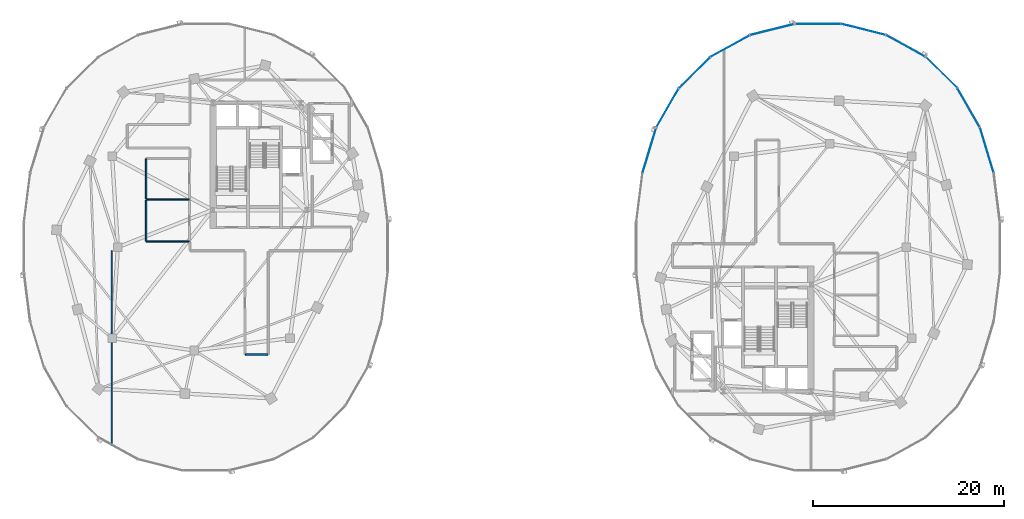
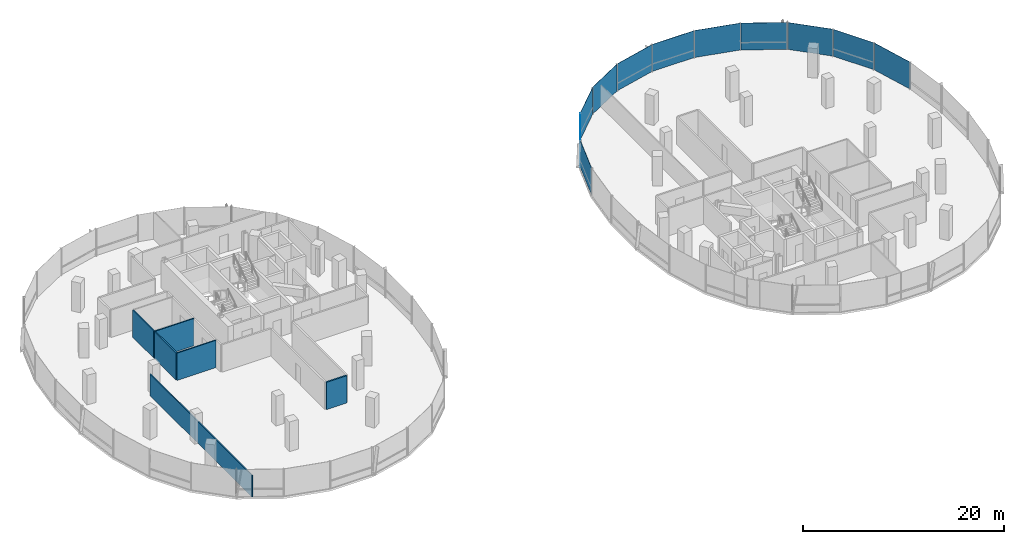
# One storey, part 11 of 21: 11 plates, 6 walls, 2 elements without a shape of their own.
"""IFC4 building model written with IfcOpenShell, lengths in metres."""

import ifcopenshell
import ifcopenshell.guid

model = None  # the IFC model being written
_history = None  # IfcOwnerHistory: only IFC2X3 demands one
_inside = {}  # id of a spatial element -> (the spatial element, [elements in it])
_under = {}  # id of a project, library or spatial element -> (it, [spatial elements below it])
_declared = {}  # id of a project -> (the project, [libraries it declares])
_typed = {}  # id of a type object -> (the type object, [elements of that type])
_made_of = {}  # id of a material, layer set ... -> (it, [elements and type objects made of it])


def new_model(schema):
    """Start an empty IFC model of exactly this schema.

    Asked for "IFC4X3", IfcOpenShell would pick the latest addendum, in which some entities
    have other attributes; the version numbers below select the first issue.
    IFC2X3 requires an IfcOwnerHistory on every rooted entity: one is made here for all.
    """
    global model, _history
    if schema == "IFC4X3":
        model = ifcopenshell.file(schema_version=(4, 3, 0, 0))
    else:
        model = ifcopenshell.file(schema=schema)
    _inside.clear()
    _under.clear()
    _declared.clear()
    _typed.clear()
    _made_of.clear()
    _history = None
    if model.schema == "IFC2X3":
        org = make("IfcOrganization", Name="unknown")
        user = make(
            "IfcPersonAndOrganization",
            ThePerson=make("IfcPerson", FamilyName="unknown"),
            TheOrganization=org,
        )
        app = make(
            "IfcApplication",
            ApplicationDeveloper=org,
            Version="unknown",
            ApplicationFullName="unknown",
            ApplicationIdentifier="unknown",
        )
        _history = make(
            "IfcOwnerHistory",
            OwningUser=user,
            OwningApplication=app,
            ChangeAction="ADDED",
            CreationDate=0,
        )
    return model


def make(cls, **values):
    """One entity of the class cls with the attributes given. An attribute that is None is left unset."""
    return model.create_entity(
        cls, **{name: value for name, value in values.items() if value is not None}
    )


def rooted(cls, **values):
    """An entity with a GlobalId (a new one), such as an element, a storey or a relation."""
    return make(cls, GlobalId=ifcopenshell.guid.new(), OwnerHistory=_history, **values)


def si_unit(unit_type, name, prefix=None):
    """IfcSIUnit, for example si_unit("LENGTHUNIT", "METRE", prefix="MILLI")."""
    return make("IfcSIUnit", UnitType=unit_type, Prefix=prefix, Name=name)


def assignment(units):
    """IfcUnitAssignment: the units of a project."""
    return None if units is None else make("IfcUnitAssignment", Units=units)


def point(xyz):
    """IfcCartesianPoint."""
    return None if xyz is None else make("IfcCartesianPoint", Coordinates=xyz)


def direction(xyz):
    """IfcDirection."""
    return None if xyz is None else make("IfcDirection", DirectionRatios=xyz)


def frame(location, z_axis=None, x_axis=None):
    """IfcAxis2Placement3D, a coordinate frame: its origin and axes. An axis left out is left unset."""
    return make(
        "IfcAxis2Placement3D",
        Location=point(location),
        Axis=direction(z_axis),
        RefDirection=direction(x_axis),
    )


def frame_2d(location, x_axis=None):
    """IfcAxis2Placement2D, a coordinate frame in the plane: its origin and x axis."""
    return make(
        "IfcAxis2Placement2D", Location=point(location), RefDirection=direction(x_axis)
    )


def origin():
    """The frame at (0, 0, 0) with its axes left unset."""
    return frame((0.0, 0.0, 0.0))


def origin_2d():
    """The frame at (0, 0) in the plane with its x axis left unset."""
    return frame_2d((0.0, 0.0))


def place(relative_to, where):
    """IfcLocalPlacement: puts the frame where relative to a parent placement (None: the world)."""
    return make(
        "IfcLocalPlacement", PlacementRelTo=relative_to, RelativePlacement=where
    )


def context(
    kind, dimensions, precision=None, world=None, true_north=None, identifier=None
):
    """IfcGeometricRepresentationContext, for example the 3D "Model" context."""
    return make(
        "IfcGeometricRepresentationContext",
        ContextIdentifier=identifier,
        ContextType=kind,
        CoordinateSpaceDimension=dimensions,
        Precision=precision,
        WorldCoordinateSystem=world,
        TrueNorth=true_north,
    )


def subcontext(parent, identifier, kind, view, scale=None):
    """IfcGeometricRepresentationSubContext, for example "Body" below "Model"."""
    return make(
        "IfcGeometricRepresentationSubContext",
        ContextIdentifier=identifier,
        ContextType=kind,
        ParentContext=parent,
        TargetScale=scale,
        TargetView=view,
    )


def project(units=None, contexts=None):
    """IfcProject with its units and contexts."""
    return rooted(
        "IfcProject",
        Name="project",
        RepresentationContexts=contexts,
        UnitsInContext=assignment(units),
    )


def spatial(cls, under=None, at=None, **own):
    """A site, building, storey or space (cls), placed at a placement, below another one or the project."""
    s = rooted(cls, ObjectPlacement=at, **own)
    if under is not None:
        _under.setdefault(under.id(), (under, []))[1].append(s)
    return s


def profile(cls, at=None, kind="AREA", **sizes):
    """A parametric profile (cls). Its sizes go by their IFC names, for example OverallWidth=200.0."""
    return make(cls, ProfileType=kind, Position=at, **sizes)


def rectangle(**sizes):
    """IfcRectangleProfileDef."""
    return profile("IfcRectangleProfileDef", **sizes)


def extrude(swept, where, along, depth):
    """IfcExtrudedAreaSolid: the profile swept, set in the frame where, extruded along a direction by depth."""
    return make(
        "IfcExtrudedAreaSolid",
        SweptArea=swept,
        Position=where,
        ExtrudedDirection=direction(along),
        Depth=depth,
    )


def shape(context_of_items, identifier, shape_type, items):
    """IfcShapeRepresentation: the items that make up one representation, for example the "Body"."""
    return make(
        "IfcShapeRepresentation",
        ContextOfItems=context_of_items,
        RepresentationIdentifier=identifier,
        RepresentationType=shape_type,
        Items=items,
    )


def material(Name=None, Category=None):
    """IfcMaterial."""
    return make("IfcMaterial", Name=Name, Category=Category)


def layer(
    of_material, thickness, ventilated=None, Name=None, Category=None, Priority=None
):
    """IfcMaterialLayer: one layer of a wall or slab, of a material (None: an air gap)."""
    return make(
        "IfcMaterialLayer",
        Material=of_material,
        LayerThickness=thickness,
        IsVentilated=ventilated,
        Name=Name,
        Category=Category,
        Priority=Priority,
    )


def layer_set(layers, Name=None):
    """IfcMaterialLayerSet."""
    return make("IfcMaterialLayerSet", MaterialLayers=layers, LayerSetName=Name)


def made_of(thing, what):
    """Note that an element or type object is made of a material, layer set ...; save() writes the relation."""
    if what is not None:
        _made_of.setdefault(what.id(), (what, []))[1].append(thing)
    return thing


def type_object(cls, material=None, **own):
    """A type object (cls), such as IfcWallType, which elements share."""
    return made_of(rooted(cls, **own), material)


def element(
    cls,
    number,
    at=None,
    inside=None,
    cuts=None,
    type_object=None,
    material=None,
    context=None,
    identifier="Body",
    shape_type=None,
    held_by="IfcProductDefinitionShape",
    body=None,
    shapes=None,
    **own,
):
    """One element of the class cls, such as IfcWall. Its Tag is "e" and its number.

    at: its placement. inside: the storey or other place that contains it. cuts: it is an
    opening in that element (IfcRelVoidsElement). A single representation is given by context,
    identifier, shape_type and body (its items); several are given by shapes. held_by: the class
    of the entity that holds the representations. save() writes the other relations.
    """
    e = rooted(cls, Tag="e%d" % number, ObjectPlacement=at, **own)
    if body is not None:
        shapes = [shape(context, identifier, shape_type, body)]
    if shapes is not None:
        e.Representation = make(held_by, Representations=shapes)
    if inside is not None:
        _inside.setdefault(inside.id(), (inside, []))[1].append(e)
    if cuts is not None:
        rooted(
            "IfcRelVoidsElement", RelatingBuildingElement=cuts, RelatedOpeningElement=e
        )
    if type_object is not None:
        _typed.setdefault(type_object.id(), (type_object, []))[1].append(e)
    return made_of(e, material)


def aggregate(whole, parts):
    """IfcRelAggregates: a whole, such as a stair, and the parts it consists of."""
    return rooted("IfcRelAggregates", RelatingObject=whole, RelatedObjects=parts)


def save(model, path):
    """Write the relations noted so far, then the file.

    IfcRelAggregates (storeys below a building ...), IfcRelContainedInSpatialStructure (elements
    in a storey), IfcRelDefinesByType, IfcRelAssociatesMaterial and IfcRelDeclares: one each for
    every whole, place, type object, material and project.
    """
    for whole, parts in _under.values():
        aggregate(whole, parts)
    for where, things in _inside.values():
        rooted(
            "IfcRelContainedInSpatialStructure",
            RelatedElements=things,
            RelatingStructure=where,
        )
    for kind, things in _typed.values():
        rooted("IfcRelDefinesByType", RelatedObjects=things, RelatingType=kind)
    for what, things in _made_of.values():
        rooted("IfcRelAssociatesMaterial", RelatedObjects=things, RelatingMaterial=what)
    for by, libraries in _declared.values():
        rooted("IfcRelDeclares", RelatingContext=by, RelatedDefinitions=libraries)
    model.write(path)


model = new_model("IFC4")

# Units and contexts
model_context = context("Model", 3, precision=1e-05, world=origin(), true_north=direction((0.0, 1.0)))
body_context = subcontext(model_context, "Body", "Model", "MODEL_VIEW")
ifc_project = project(units=[si_unit("LENGTHUNIT", "METRE"), si_unit("AREAUNIT", "SQUARE_METRE"), si_unit("VOLUMEUNIT", "CUBIC_METRE"), si_unit("PLANEANGLEUNIT", "RADIAN"), si_unit("MASSUNIT", "GRAM", prefix="KILO"), si_unit("THERMODYNAMICTEMPERATUREUNIT", "KELVIN"), si_unit("POWERUNIT", "WATT")], contexts=[model_context])

# Site, building, storey
site_placement = place(None, origin())
site = spatial("IfcSite", under=ifc_project, at=site_placement, CompositionType="ELEMENT")
building_placement = place(site_placement, origin())
building = spatial("IfcBuilding", under=site, at=building_placement, Name="Cundina Bronze Exchange", CompositionType="ELEMENT")
storey_placement = place(building_placement, frame((0.0, 0.0, 183.60009765625)))
storey = spatial("IfcBuildingStorey", under=building, at=storey_placement, Name="L48", CompositionType="ELEMENT", Elevation=183.60009765625)

# Curtain wall, plates
ifc_material_1 = material(Name="Anodised Bronze Aluminium 6063-T6", Category="aluminium")
curtain_wall_type = type_object("IfcCurtainWallType", Name="CWS-WST-PIN", PredefinedType="NOTDEFINED", material=ifc_material_1)
curtain_wall_1_placement = place(storey_placement, origin())
curtain_wall_1 = element("IfcCurtainWall", 1, at=curtain_wall_1_placement, inside=storey, type_object=curtain_wall_type, Name="L48 CW-04 Curtain Wall Run CWR-L48-E1", PredefinedType="NOTDEFINED")
ifc_material_2 = material(Name="Heat-Strengthened Solar-Control Bronze Safety Glass 28mm", Category="glass")
ifc_layer_1 = layer(ifc_material_2, 0.028076171875, Name="Heat-Strengthened Solar-Control Bronze Safety Glass 28mm", Category="glass")
ifc_layer_set_1 = layer_set([ifc_layer_1], Name="Heat-Strengthened Solar-Control Bronze Safety Glass 28mm")
plate_type_1 = type_object("IfcPlateType", Name="PLT-GLZ-VIS28", PredefinedType="CURTAIN_PANEL", material=ifc_layer_set_1)
plate_1_placement = place(storey_placement, frame((47.734375, 14.564697265625, 0.02001953125), z_axis=(0.0, 0.0, 1.0), x_axis=(-0.498487739754, 0.866896748936, 0.0)))
plate_1 = element("IfcPlate", 2, at=plate_1_placement, type_object=plate_type_1, Name="CW-04 Glazed Panel 3", PredefinedType="CURTAIN_PANEL", context=body_context, shape_type="SweptSolid", body=[
    extrude(rectangle(XDim=4.676513671875, YDim=0.028076171875, at=origin_2d()), origin(), (0.0, 0.0, 1.0), 3.280029296875),
])
plate_2_placement = place(storey_placement, frame((44.894775390625, 18.253662109375, 0.02001953125), z_axis=(0.0, 0.0, 1.0), x_axis=(-0.711989280367, 0.702190333629, 0.0)))
plate_2 = element("IfcPlate", 3, at=plate_2_placement, type_object=plate_type_1, Name="CW-04 Glazed Panel 4", PredefinedType="CURTAIN_PANEL", context=body_context, shape_type="SweptSolid", body=[
    extrude(rectangle(XDim=4.6025390625, YDim=0.028076171875, at=origin_2d()), origin(), (0.0, 0.0, 1.0), 3.280029296875),
])
plate_3_placement = place(storey_placement, frame((41.16845703125, 21.02880859375, 0.02001953125), z_axis=(0.0, 0.0, 1.0), x_axis=(-0.875869093438, 0.482548786301, 0.0)))
plate_3 = element("IfcPlate", 4, at=plate_3_placement, type_object=plate_type_1, Name="CW-04 Glazed Panel 5", PredefinedType="CURTAIN_PANEL", context=body_context, shape_type="SweptSolid", body=[
    extrude(rectangle(XDim=4.661865234375, YDim=0.028076171875, at=origin_2d()), origin(), (0.0, 0.0, 1.0), 3.280029296875),
])
plate_4_placement = place(storey_placement, frame((36.76513671875, 22.75244140625, 0.02001953125), z_axis=(0.0, 0.0, 1.0), x_axis=(-0.970092713791, 0.242734683656, 0.0)))
plate_4 = element("IfcPlate", 5, at=plate_4_placement, type_object=plate_type_1, Name="CW-04 Glazed Panel 6", PredefinedType="CURTAIN_PANEL", context=body_context, shape_type="SweptSolid", body=[
    extrude(rectangle(XDim=4.7548828125, YDim=0.028076171875, at=origin_2d()), origin(), (0.0, 0.0, 1.0), 3.280029296875),
])

curtain_wall_2_placement = place(storey_placement, origin())
curtain_wall_2 = element("IfcCurtainWall", 6, at=curtain_wall_2_placement, inside=storey, type_object=curtain_wall_type, Name="L48 CW-04 Curtain Wall Run CWR-L48-E2", PredefinedType="NOTDEFINED")
plate_5_placement = place(storey_placement, frame((22.83154296875, 21.02880859375, 0.02001953125), z_axis=(0.0, 0.0, 1.0), x_axis=(-0.875869093438, -0.482548786301, 0.0)))
plate_5 = element("IfcPlate", 7, at=plate_5_placement, type_object=plate_type_1, Name="CW-04 Glazed Panel 2", PredefinedType="CURTAIN_PANEL", context=body_context, shape_type="SweptSolid", body=[
    extrude(rectangle(XDim=4.661865234375, YDim=0.028076171875, at=origin_2d()), origin(), (0.0, 0.0, 1.0), 3.280029296875),
])
plate_6_placement = place(storey_placement, frame((19.105224609375, 18.253662109375, 0.02001953125), z_axis=(0.0, 0.0, 1.0), x_axis=(-0.711989280367, -0.702190333629, 0.0)))
plate_6 = element("IfcPlate", 8, at=plate_6_placement, type_object=plate_type_1, Name="CW-04 Glazed Panel 3", PredefinedType="CURTAIN_PANEL", context=body_context, shape_type="SweptSolid", body=[
    extrude(rectangle(XDim=4.6025390625, YDim=0.028076171875, at=origin_2d()), origin(), (0.0, 0.0, 1.0), 3.280029296875),
])
plate_7_placement = place(storey_placement, frame((16.265625, 14.564697265625, 0.02001953125), z_axis=(0.0, 0.0, 1.0), x_axis=(-0.498487739754, -0.866896748936, 0.0)))
plate_7 = element("IfcPlate", 9, at=plate_7_placement, type_object=plate_type_1, Name="CW-04 Glazed Panel 4", PredefinedType="CURTAIN_PANEL", context=body_context, shape_type="SweptSolid", body=[
    extrude(rectangle(XDim=4.676513671875, YDim=0.028076171875, at=origin_2d()), origin(), (0.0, 0.0, 1.0), 3.280029296875),
])
plate_8_placement = place(storey_placement, frame((14.36669921875, 10.14208984375, 0.02001953125), z_axis=(0.0, 0.0, 1.0), x_axis=(-0.290050843957, -0.957011237092, 0.0)))
plate_8 = element("IfcPlate", 10, at=plate_8_placement, type_object=plate_type_1, Name="CW-04 Glazed Panel 5", PredefinedType="CURTAIN_PANEL", context=body_context, shape_type="SweptSolid", body=[
    extrude(rectangle(XDim=4.885009765625, YDim=0.028076171875, at=origin_2d()), origin(), (0.0, 0.0, 1.0), 3.280029296875),
])

# Plate
ifc_material_3 = material(Name="Dark Bronze Spandrel Glass Panel 32mm", Category="glass")
ifc_layer_2 = layer(ifc_material_3, 0.031982421875, Name="Dark Bronze Spandrel Glass Panel 32mm", Category="glass")
ifc_layer_set_2 = layer_set([ifc_layer_2], Name="Dark Bronze Spandrel Glass Panel 32mm")
plate_type_2 = type_object("IfcPlateType", Name="PLT-SPN-BRZ32", PredefinedType="CURTAIN_PANEL", material=ifc_layer_set_2)
plate_9_placement = place(storey_placement, frame((49.63330078125, 10.14208984375, 0.02001953125), z_axis=(0.0, 0.0, 1.0), x_axis=(-0.290050843957, 0.957011237092, 0.0)))
plate_9 = element("IfcPlate", 11, at=plate_9_placement, type_object=plate_type_2, Name="CW-04 Glazed Panel 2", PredefinedType="CURTAIN_PANEL", context=body_context, shape_type="SweptSolid", body=[
    extrude(rectangle(XDim=4.885009765625, YDim=0.031982421875, at=origin_2d()), origin(), (0.0, 0.0, 1.0), 3.280029296875),
])

plate_10_placement = place(storey_placement, frame((32.0, 23.3369140625, 0.02001953125), z_axis=(0.0, 0.0, 1.0), x_axis=(-1.0, 0.0, 0.0)))
plate_10 = element("IfcPlate", 12, at=plate_10_placement, type_object=plate_type_2, Name="CW-04 Glazed Panel 7", PredefinedType="CURTAIN_PANEL", context=body_context, shape_type="SweptSolid", body=[
    extrude(rectangle(XDim=4.7958984375, YDim=0.031982421875, at=origin_2d()), origin(), (0.0, 0.0, 1.0), 3.280029296875),
])

aggregate(curtain_wall_1, [plate_9, plate_1, plate_2, plate_3, plate_4, plate_10])

plate_11_placement = place(storey_placement, frame((27.23486328125, 22.75244140625, 0.02001953125), z_axis=(0.0, 0.0, 1.0), x_axis=(-0.970092713791, -0.242734683656, 0.0)))
plate_11 = element("IfcPlate", 13, at=plate_11_placement, type_object=plate_type_2, Name="CW-04 Glazed Panel 1", PredefinedType="CURTAIN_PANEL", context=body_context, shape_type="SweptSolid", body=[
    extrude(rectangle(XDim=4.7548828125, YDim=0.031982421875, at=origin_2d()), origin(), (0.0, 0.0, 1.0), 3.280029296875),
])

aggregate(curtain_wall_2, [plate_11, plate_5, plate_6, plate_7, plate_8])

# Walls
ifc_material_4 = material(Name="Gypsum Fireboard Partition EI120")
ifc_layer_3 = layer(ifc_material_4, 0.179931640625, Name="Gypsum Fireboard Partition EI120")
ifc_layer_set_3 = layer_set([ifc_layer_3], Name="Gypsum Fireboard Partition EI120")
wall_type_1 = type_object("IfcWallType", Name="WL-COR-180", PredefinedType="PARTITIONING", material=ifc_layer_set_3)
wall_1_placement = place(storey_placement, frame((-27.87841796875, -11.219970703125, 0.0), z_axis=(0.0, 0.0, 1.0), x_axis=(1.0, 0.0, 0.0)))
element("IfcWall", 14, at=wall_1_placement, inside=storey, type_object=wall_type_1, Name="L48 Interior Partition 026", PredefinedType="PARTITIONING", context=body_context, shape_type="SweptSolid", body=[
    extrude(rectangle(XDim=2.35693359375, YDim=0.179931640625, at=frame_2d((1.178466796875, 0.0))), origin(), (0.0, 0.0, 1.0), 3.31982421875),
])
ifc_material_5 = material(Name="Gypsum Acoustic Partition EI60")
ifc_layer_4 = layer(ifc_material_5, 0.125, Name="Gypsum Acoustic Partition EI60")
ifc_layer_set_4 = layer_set([ifc_layer_4], Name="Gypsum Acoustic Partition EI60")
wall_type_2 = type_object("IfcWallType", Name="WL-OFF-125", PredefinedType="PARTITIONING", material=ifc_layer_set_4)
wall_2_placement = place(storey_placement, frame((-41.830078125, -20.741455078125, 0.0), z_axis=(0.0, 0.0, 1.0), x_axis=(0.0, 1.0, 0.0)))
element("IfcWall", 15, at=wall_2_placement, inside=storey, type_object=wall_type_2, Name="L48 Interior Partition 014", PredefinedType="PARTITIONING", context=body_context, shape_type="SweptSolid", body=[
    extrude(rectangle(XDim=20.371337890625, YDim=0.125, at=frame_2d((10.185546875, 0.0))), origin(), (0.0, 0.0, 1.0), 2.625),
])
ifc_material_6 = material(Name="Moisture-Resistant Masonry Block Grade M15", Category="masonry")
ifc_layer_5 = layer(ifc_material_6, 0.139892578125, Name="Moisture-Resistant Masonry Block Grade M15", Category="masonry")
ifc_layer_set_5 = layer_set([ifc_layer_5], Name="Moisture-Resistant Masonry Block Grade M15")
wall_type_3 = type_object("IfcWallType", Name="WL-WET-140", PredefinedType="PARTITIONING", material=ifc_layer_set_5)
wall_3_placement = place(storey_placement, frame((-38.239990234375, 0.6201171875, 0.0), z_axis=(0.0, 0.0, 1.0), x_axis=(0.0, 1.0, 0.0)))
element("IfcWall", 16, at=wall_3_placement, inside=storey, type_object=wall_type_3, Name="L48 Interior Partition 007", PredefinedType="PARTITIONING", context=body_context, shape_type="SweptSolid", body=[
    extrude(rectangle(XDim=4.27490234375, YDim=0.139892578125, at=frame_2d((2.137451171875, 0.0))), origin(), (0.0, 0.0, 1.0), 3.31982421875),
])
wall_4_placement = place(storey_placement, frame((-38.239990234375, 5.06494140625, 0.0), z_axis=(0.0, 0.0, 1.0), x_axis=(0.0, 1.0, 0.0)))
element("IfcWall", 17, at=wall_4_placement, inside=storey, type_object=wall_type_3, Name="L48 Interior Partition 008", PredefinedType="PARTITIONING", context=body_context, shape_type="SweptSolid", body=[
    extrude(rectangle(XDim=4.175048828125, YDim=0.139892578125, at=frame_2d((2.08740234375, 0.0))), origin(), (0.0, 0.0, 1.0), 3.31982421875),
])
for number, where, z_axis, x_axis, name in (
    (18, (-38.219970703125, 0.60009765625, 0.0), (0.0, 0.0, 1.0), (1.0, 0.0, 0.0), "L48 Interior Partition 009"),
    (19, (-38.219970703125, 4.97998046875, 0.0), (0.0, 0.0, 1.0), (1.0, 0.0, 0.0), "L48 Interior Partition 010"),
):
    element("IfcWall", number, at=place(storey_placement, frame(where, z_axis=z_axis, x_axis=x_axis)), inside=storey, type_object=wall_type_3, Name=name, PredefinedType="PARTITIONING", context=body_context, shape_type="SweptSolid", body=[
        extrude(rectangle(XDim=4.47998046875, YDim=0.139892578125, at=frame_2d((2.239990234375, 0.0))), origin(), (0.0, 0.0, 1.0), 3.31982421875),
    ])

save(model, "model.ifc")
